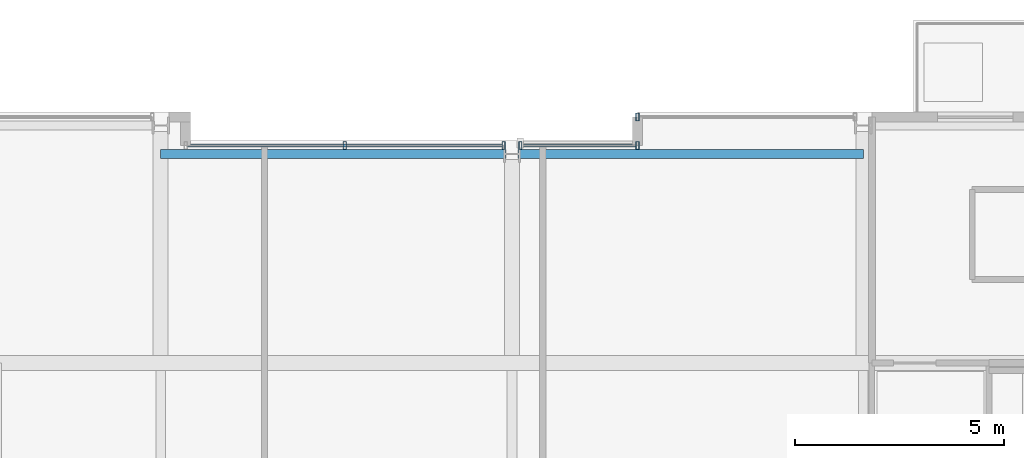
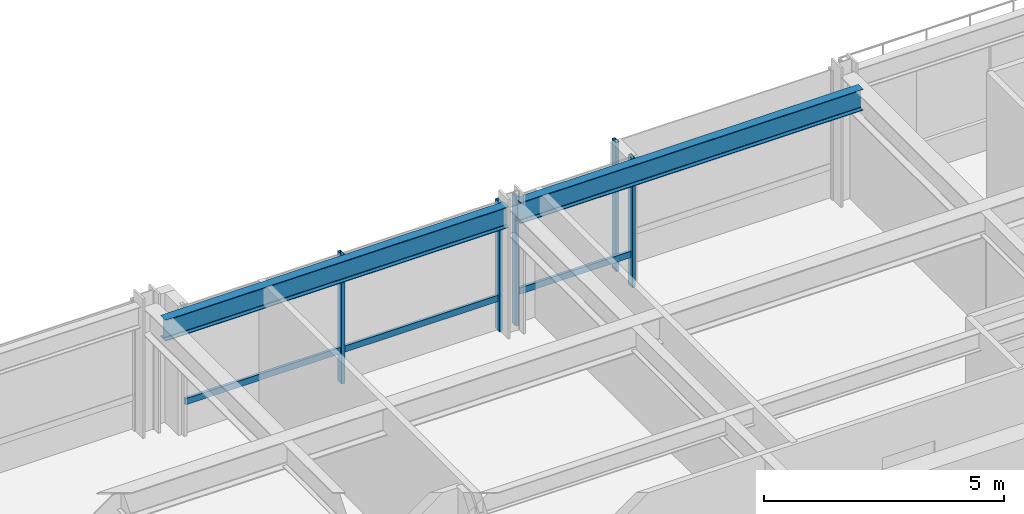
# One storey, part 22 of 34: 7 members, 2 beams, 3 elements without a shape of their own.
"""IFC4 building model written with IfcOpenShell, lengths in metres."""

from ifc_helpers import new_model, si_unit, direction, frame, origin, origin_2d, place, context, subcontext, project, spatial, hollow_rectangle, i_section, extrude, material, layer, layer_set, material_profile, profile_set, type_object, element, aggregate, save


model = new_model("IFC4")

# Units and contexts
model_context = context("Model", 3, precision=1e-05, world=origin(), true_north=direction((0.0, 1.0)))
body_context = subcontext(model_context, "Body", "Model", "MODEL_VIEW")
ifc_project = project(units=[si_unit("LENGTHUNIT", "METRE"), si_unit("AREAUNIT", "SQUARE_METRE"), si_unit("VOLUMEUNIT", "CUBIC_METRE"), si_unit("PLANEANGLEUNIT", "RADIAN"), si_unit("MASSUNIT", "GRAM", prefix="KILO")], contexts=[model_context])

# Site, building, storey
site_placement = place(None, origin())
site = spatial("IfcSite", under=ifc_project, at=site_placement, CompositionType="ELEMENT")
building_placement = place(site_placement, origin())
building = spatial("IfcBuilding", under=site, at=building_placement, Name="Drelvath Grand Hotel", CompositionType="ELEMENT")
storey_placement = place(building_placement, frame((0.0, 0.0, 175.25)))
storey = spatial("IfcBuildingStorey", under=building, at=storey_placement, Name="L45", CompositionType="ELEMENT", Elevation=175.25)

# Curtain wall, member
ifc_material_1 = material(Name="Brushed Pale-Silver Anodised Aluminium Frame", Category="aluminium")
ifc_layer = layer(ifc_material_1, 0.199951171875)
ifc_layer_set = layer_set([ifc_layer], Name="Brushed Pale-Silver Anodised Aluminium Frame")
curtain_wall_type = type_object("IfcCurtainWallType", Name="Stick Curtain Wall CW-04 Brushed Silver Upper-Mid", PredefinedType="NOTDEFINED", material=ifc_layer_set)
curtain_wall_1_placement = place(storey_placement, origin())
curtain_wall_1 = element("IfcCurtainWall", 1, at=curtain_wall_1_placement, inside=storey, type_object=curtain_wall_type, Name="L45 CW-04 Curtain Wall CW04-L45-NM1", PredefinedType="NOTDEFINED")
ifc_material_profile_1 = material_profile(ifc_material_1, hollow_rectangle(XDim=0.06494140625, YDim=0.159912109375, WallThickness=0.00390625, at=origin_2d()), Name="HSS160X65X4")
ifc_profile_set_1 = profile_set([ifc_material_profile_1], Name="Brushed Pale-Silver Anodised Aluminium Frame")
member_type_1 = type_object("IfcMemberType", Name="Curtain Wall Horizontal Transom CW-04 HSS160X65X4", PredefinedType="USERDEFINED", material=ifc_profile_set_1)
member_1_placement = place(storey_placement, frame((-7.760009765625, 48.39990234375, 0.822509765625), z_axis=(1.0, 0.0, 0.0), x_axis=(0.0, 1.0, 0.0)))
member_1 = element("IfcMember", 2, at=member_1_placement, type_object=member_type_1, Name="CW04-L45-NM1 Sill Transom", ObjectType="TRANSOM", PredefinedType="USERDEFINED", context=body_context, shape_type="SweptSolid", body=[
    extrude(hollow_rectangle(XDim=0.06494140625, YDim=0.159912109375, WallThickness=0.00390625, at=origin_2d()), origin(), (0.0, 0.0, 1.0), 7.52001953125),
])

curtain_wall_2_placement = place(storey_placement, origin())
curtain_wall_2 = element("IfcCurtainWall", 3, at=curtain_wall_2_placement, inside=storey, type_object=curtain_wall_type, Name="L45 CW-04 Curtain Wall CW04-L45-NM2", PredefinedType="NOTDEFINED")
member_2_placement = place(storey_placement, frame((0.239990234375, 48.39990234375, 0.822509765625), z_axis=(1.0, 0.0, 0.0), x_axis=(0.0, 1.0, 0.0)))
member_2 = element("IfcMember", 4, at=member_2_placement, type_object=member_type_1, Name="CW04-L45-NM2 Sill Transom", ObjectType="TRANSOM", PredefinedType="USERDEFINED", context=body_context, shape_type="SweptSolid", body=[
    extrude(hollow_rectangle(XDim=0.06494140625, YDim=0.159912109375, WallThickness=0.00390625, at=origin_2d()), origin(), (0.0, 0.0, 1.0), 2.719970703125),
])

# Member
ifc_material_profile_2 = material_profile(ifc_material_1, hollow_rectangle(XDim=0.074951171875, YDim=0.179931640625, WallThickness=0.0048828125, at=origin_2d()), Name="HSS180X75X5")
ifc_profile_set_2 = profile_set([ifc_material_profile_2], Name="Brushed Pale-Silver Anodised Aluminium Frame")
member_type_2 = type_object("IfcMemberType", Name="Curtain Wall Vertical Mullion CW-04 HSS180X75X5", PredefinedType="MULLION", material=ifc_profile_set_2)
member_3_placement = place(storey_placement, frame((-4.0, 48.39990234375, 0.0), z_axis=(0.0, 0.0, 1.0), x_axis=(1.0, 0.0, 0.0)))
member_3 = element("IfcMember", 5, at=member_3_placement, type_object=member_type_2, Name="CW04-L45-NM1 Mullion 2", PredefinedType="MULLION", context=body_context, shape_type="SweptSolid", body=[
    extrude(hollow_rectangle(XDim=0.074951171875, YDim=0.179931640625, WallThickness=0.0048828125, at=origin_2d()), origin(), (0.0, 0.0, 1.0), 3.2900390625),
])

member_4_placement = place(storey_placement, frame((-0.2001953125, 48.39990234375, 0.0), z_axis=(0.0, 0.0, 1.0), x_axis=(1.0, 0.0, 0.0)))
member_4 = element("IfcMember", 6, at=member_4_placement, type_object=member_type_2, Name="CW04-L45-NM1 Mullion 3", PredefinedType="MULLION", context=body_context, shape_type="SweptSolid", body=[
    extrude(hollow_rectangle(XDim=0.074951171875, YDim=0.179931640625, WallThickness=0.0048828125, at=origin_2d()), origin(), (0.0, 0.0, 1.0), 3.2900390625),
])

aggregate(curtain_wall_1, [member_3, member_4, member_1])

member_5_placement = place(storey_placement, frame((0.2001953125, 48.39990234375, 0.0), z_axis=(0.0, 0.0, 1.0), x_axis=(1.0, 0.0, 0.0)))
member_5 = element("IfcMember", 7, at=member_5_placement, type_object=member_type_2, Name="CW04-L45-NM2 Mullion 1", PredefinedType="MULLION", context=body_context, shape_type="SweptSolid", body=[
    extrude(hollow_rectangle(XDim=0.074951171875, YDim=0.179931640625, WallThickness=0.0048828125, at=origin_2d()), origin(), (0.0, 0.0, 1.0), 3.2900390625),
])

member_6_placement = place(storey_placement, frame((3.0, 48.39990234375, 0.0), z_axis=(0.0, 0.0, 1.0), x_axis=(1.0, 0.0, 0.0)))
member_6 = element("IfcMember", 8, at=member_6_placement, type_object=member_type_2, Name="CW04-L45-NM2 Mullion 2", PredefinedType="MULLION", context=body_context, shape_type="SweptSolid", body=[
    extrude(hollow_rectangle(XDim=0.074951171875, YDim=0.179931640625, WallThickness=0.0048828125, at=origin_2d()), origin(), (0.0, 0.0, 1.0), 3.2900390625),
])

aggregate(curtain_wall_2, [member_5, member_6, member_2])

# Curtain wall, member
curtain_wall_3_placement = place(storey_placement, origin())
curtain_wall_3 = element("IfcCurtainWall", 9, at=curtain_wall_3_placement, inside=storey, type_object=curtain_wall_type, Name="L45 CW-04 Curtain Wall CW04-L45-NE1", PredefinedType="NOTDEFINED")
member_7_placement = place(storey_placement, frame((3.0, 49.080078125, 0.0), z_axis=(0.0, 0.0, 1.0), x_axis=(1.0, 0.0, 0.0)))
member_7 = element("IfcMember", 10, at=member_7_placement, type_object=member_type_2, Name="CW04-L45-NE1 Mullion 1", PredefinedType="MULLION", context=body_context, shape_type="SweptSolid", body=[
    extrude(hollow_rectangle(XDim=0.074951171875, YDim=0.179931640625, WallThickness=0.0048828125, at=origin_2d()), origin(), (0.0, 0.0, 1.0), 3.2900390625),
])
aggregate(curtain_wall_3, [member_7])

# Beams
ifc_material_2 = material(Name="Steel ASTM A992 Gr 50", Category="steel")
ifc_material_profile_3 = material_profile(ifc_material_2, i_section(OverallWidth=0.210205078125, OverallDepth=0.53662109375, WebThickness=0.010986328125, FlangeThickness=0.017333984375, FilletRadius=0.01806640625, at=origin_2d()), Name="W21X68")
ifc_profile_set_3 = profile_set([ifc_material_profile_3], Name="Steel ASTM A992 Gr 50")
beam_type = type_object("IfcBeamType", Name="Perimeter Spandrel Beam W21X68", PredefinedType="SPANDREL", material=ifc_profile_set_3)
for number, where, z_axis, x_axis, name in (
    (11, (-8.39990234375, 48.199951171875, 3.021484375), (1.0, 0.0, 0.0), (0.0, 1.0, 0.0), "L45 Spandrel North Mid W"),
    (12, (0.139892578125, 48.199951171875, 3.021484375), (1.0, 0.0, 0.0), (0.0, 1.0, 0.0), "L45 Spandrel North Mid E"),
):
    element("IfcBeam", number, at=place(storey_placement, frame(where, z_axis=z_axis, x_axis=x_axis)), inside=storey, type_object=beam_type, Name=name, PredefinedType="SPANDREL", context=body_context, shape_type="SweptSolid", body=[
        extrude(i_section(OverallWidth=0.210205078125, OverallDepth=0.53662109375, WebThickness=0.010986328125, FlangeThickness=0.017333984375, FilletRadius=0.01806640625, at=origin_2d()), origin(), (0.0, 0.0, 1.0), 8.260009765625),
    ])

save(model, "model.ifc")
